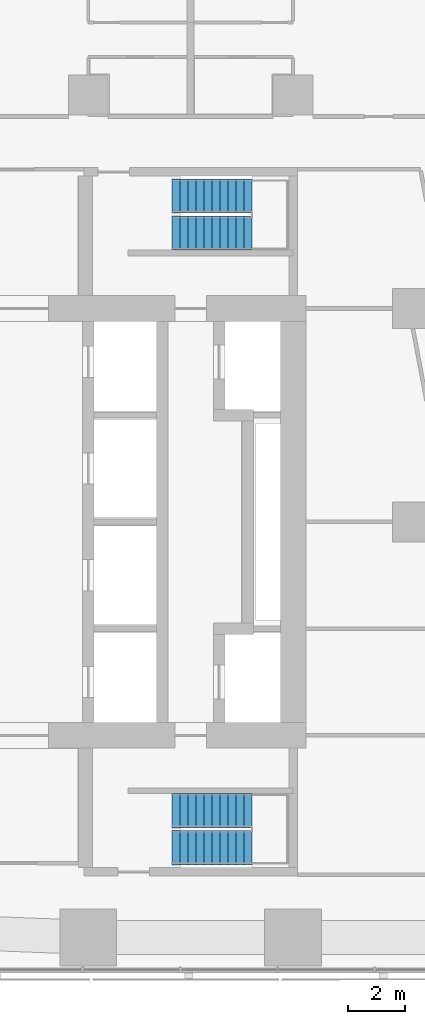
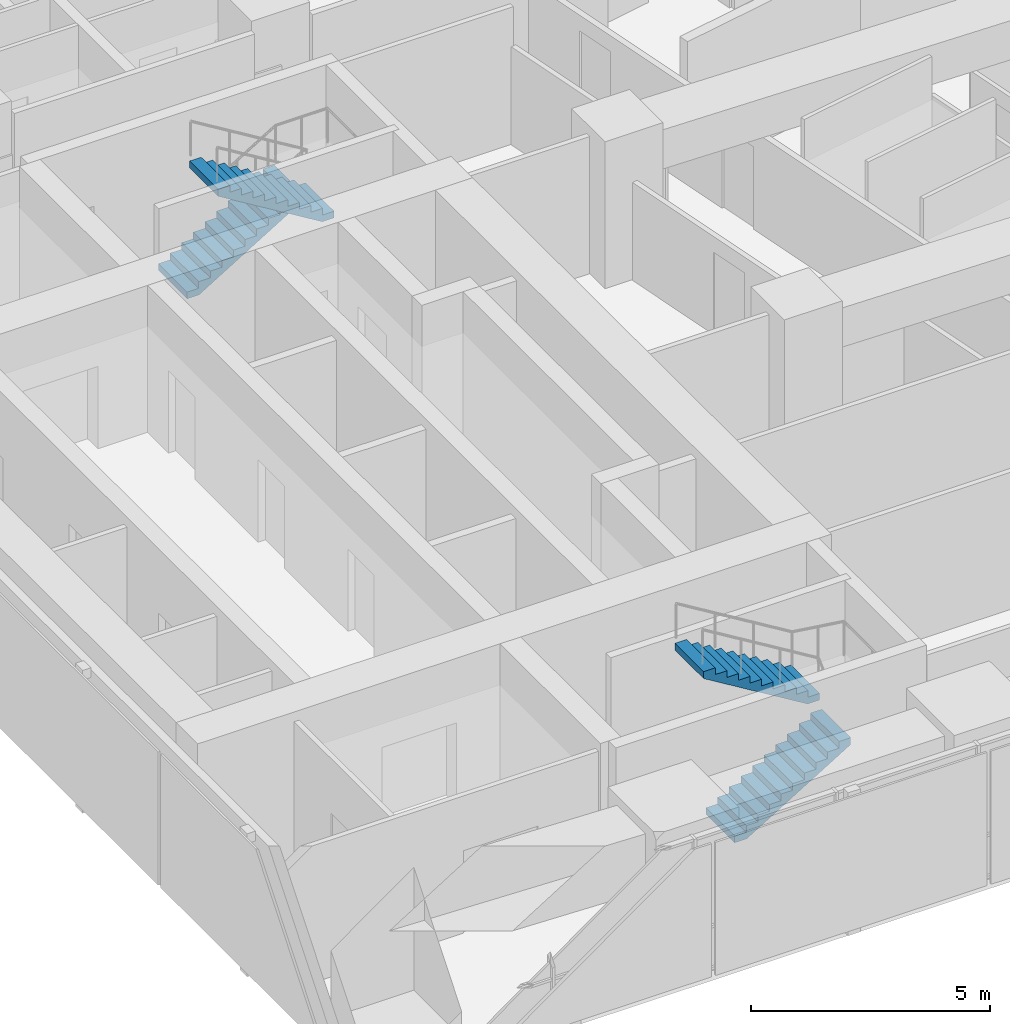
# One storey, part 10 of 11: 4 stair flights, 2 elements without a shape of their own.
"""IFC4 building model written with IfcOpenShell, lengths in metres."""

from ifc_helpers import new_model, si_unit, direction, frame, origin, place, context, subcontext, project, spatial, triangles, material, type_object, element, aggregate, save


model = new_model("IFC4")

# Units and contexts
model_context = context("Model", 3, precision=1e-05, world=origin(), true_north=direction((0.0, 1.0)))
body_context = subcontext(model_context, "Body", "Model", "MODEL_VIEW")
ifc_project = project(units=[si_unit("LENGTHUNIT", "METRE"), si_unit("AREAUNIT", "SQUARE_METRE"), si_unit("VOLUMEUNIT", "CUBIC_METRE"), si_unit("PLANEANGLEUNIT", "RADIAN"), si_unit("MASSUNIT", "GRAM", prefix="KILO")], contexts=[model_context])

# Site, building, storey
site_placement = place(None, origin())
site = spatial("IfcSite", under=ifc_project, at=site_placement, CompositionType="ELEMENT")
building_placement = place(site_placement, origin())
building = spatial("IfcBuilding", under=site, at=building_placement, Name="Sheger Commons Tower", CompositionType="ELEMENT")
storey_placement = place(building_placement, frame((0.0, 0.0, 255.35009765625)))
storey = spatial("IfcBuildingStorey", under=building, at=storey_placement, Name="L65", CompositionType="ELEMENT", Elevation=255.35009765625)

# Stair, stair flights
ifc_material_1 = material(Name="Concrete C35/45", Category="concrete")
stair_type = type_object("IfcStairType", Name="HALF-TURN STAIR 1200 RISE 3750", PredefinedType="HALF_TURN_STAIR", material=ifc_material_1)
stair_1_placement = place(storey_placement, origin())
stair_1 = element("IfcStair", 1, at=stair_1_placement, inside=storey, type_object=stair_type, Name="Stair S1 L65", PredefinedType="HALF_TURN_STAIR")
ifc_material_2 = material(Name="Concrete C35/45", Category="concrete")
stair_flight_type = type_object("IfcStairFlightType", Name="STAIR FLIGHT 1200 11 RISERS OF 170", PredefinedType="STRAIGHT", material=ifc_material_2)
stair_flight_1_placement = place(storey_placement, frame((24.550048828125, 11.050048828125, 0.0), z_axis=(0.0, 0.0, 1.0), x_axis=(1.0, 0.0, 0.0)))
stair_flight_1 = element("IfcStairFlight", 2, at=stair_flight_1_placement, type_object=stair_flight_type, Name="S1 flight 1", NumberOfRisers=11, NumberOfTreads=10, PredefinedType="STRAIGHT", RiserHeight=0.170454545, TreadLength=0.28, context=body_context, shape_type="Tessellation", body=[
    triangles([(0.0, 0.5999755859375, 0.0), (0.0, 0.5999755859375, 0.17041015625), (0.280029296875, 0.5999755859375, 0.17041015625), (0.280029296875, 0.5999755859375, 0.3408203125), (0.56005859375, 0.5999755859375, 0.3408203125), (0.56005859375, 0.5999755859375, 0.511474609375), (0.840087890625, 0.5999755859375, 0.511474609375), (0.840087890625, 0.5999755859375, 0.681884765625), (1.1201171875, 0.5999755859375, 0.681884765625), (1.1201171875, 0.5999755859375, 0.852294921875), (1.39990234375, 0.5999755859375, 0.852294921875), (1.39990234375, 0.5999755859375, 1.022705078125), (1.679931640625, 0.5999755859375, 1.022705078125), (1.679931640625, 0.5999755859375, 1.193115234375), (1.9599609375, 0.5999755859375, 1.193115234375), (1.9599609375, 0.5999755859375, 1.363525390625), (2.239990234375, 0.5999755859375, 1.363525390625), (2.239990234375, 0.5999755859375, 1.5341796875), (2.52001953125, 0.5999755859375, 1.5341796875), (2.52001953125, 0.5999755859375, 1.70458984375), (2.800048828125, 0.5999755859375, 1.70458984375), (2.800048828125, 0.5999755859375, 1.529052734375), (0.288330078125, 0.5999755859375, 0.0), (0.0, -0.5999755859375, 0.0), (0.0, -0.5999755859375, 0.17041015625), (0.280029296875, -0.5999755859375, 0.17041015625), (0.280029296875, -0.5999755859375, 0.3408203125), (0.56005859375, -0.5999755859375, 0.3408203125), (0.56005859375, -0.5999755859375, 0.511474609375), (0.840087890625, -0.5999755859375, 0.511474609375), (0.840087890625, -0.5999755859375, 0.681884765625), (1.1201171875, -0.5999755859375, 0.681884765625), (1.1201171875, -0.5999755859375, 0.852294921875), (1.39990234375, -0.5999755859375, 0.852294921875), (1.39990234375, -0.5999755859375, 1.022705078125), (1.679931640625, -0.5999755859375, 1.022705078125), (1.679931640625, -0.5999755859375, 1.193115234375), (1.9599609375, -0.5999755859375, 1.193115234375), (1.9599609375, -0.5999755859375, 1.363525390625), (2.239990234375, -0.5999755859375, 1.363525390625), (2.239990234375, -0.5999755859375, 1.5341796875), (2.52001953125, -0.5999755859375, 1.5341796875), (2.52001953125, -0.5999755859375, 1.70458984375), (2.800048828125, -0.5999755859375, 1.70458984375), (2.800048828125, -0.5999755859375, 1.529052734375), (0.288330078125, -0.5999755859375, 0.0), (0.0, 0.0, 0.085205078125), (0.1400146484375, 0.0, 0.17041015625), (0.280029296875, 0.0, 0.255615234375), (0.4200439453125, 0.0, 0.3408203125), (0.56005859375, 0.0, 0.4261474609375), (0.7000732421875, 0.0, 0.511474609375), (0.840087890625, 0.0, 0.5966796875), (0.9801025390625, 0.0, 0.681884765625), (1.1201171875, 0.0, 0.76708984375), (1.260009765625, 0.0, 0.852294921875), (1.39990234375, 0.0, 0.9375), (1.5399169921875, 0.0, 1.022705078125), (1.679931640625, 0.0, 1.10791015625), (1.8199462890625, 0.0, 1.193115234375), (1.9599609375, 0.0, 1.2783203125), (2.0999755859375, 0.0, 1.363525390625), (2.239990234375, 0.0, 1.4488525390625), (2.3800048828125, 0.0, 1.5341796875), (2.52001953125, 0.0, 1.619384765625), (2.6600341796875, 0.0, 1.70458984375), (2.800048828125, 0.0, 1.6168212890625), (1.544189453125, 0.0, 0.7645263671875), (0.1441650390625, 0.0, 0.0)], [[1, 22, 23], [24, 46, 45], [22, 20, 21], [45, 44, 43], [22, 19, 20], [45, 43, 42], [22, 18, 19], [45, 42, 41], [22, 17, 18], [45, 41, 40], [17, 15, 16], [40, 39, 38], [22, 15, 17], [45, 40, 38], [15, 13, 14], [38, 37, 36], [22, 13, 15], [45, 38, 36], [13, 11, 12], [36, 35, 34], [22, 11, 13], [45, 36, 34], [11, 9, 10], [34, 33, 32], [22, 9, 11], [45, 34, 32], [9, 7, 8], [32, 31, 30], [22, 7, 9], [45, 32, 30], [7, 5, 6], [30, 29, 28], [22, 5, 7], [45, 30, 28], [5, 3, 4], [28, 27, 26], [22, 3, 5], [45, 28, 26], [1, 3, 22], [24, 45, 26], [3, 1, 2], [26, 25, 24], [1, 47, 2], [2, 47, 25], [25, 47, 24], [24, 47, 1], [2, 48, 3], [3, 48, 26], [26, 48, 25], [25, 48, 2], [3, 49, 4], [4, 49, 27], [27, 49, 26], [26, 49, 3], [4, 50, 5], [5, 50, 28], [28, 50, 27], [27, 50, 4], [5, 51, 6], [6, 51, 29], [29, 51, 28], [28, 51, 5], [6, 52, 7], [7, 52, 30], [30, 52, 29], [29, 52, 6], [7, 53, 8], [8, 53, 31], [31, 53, 30], [30, 53, 7], [8, 54, 9], [9, 54, 32], [32, 54, 31], [31, 54, 8], [9, 55, 10], [10, 55, 33], [33, 55, 32], [32, 55, 9], [10, 56, 11], [11, 56, 34], [34, 56, 33], [33, 56, 10], [11, 57, 12], [12, 57, 35], [35, 57, 34], [34, 57, 11], [12, 58, 13], [13, 58, 36], [36, 58, 35], [35, 58, 12], [13, 59, 14], [14, 59, 37], [37, 59, 36], [36, 59, 13], [14, 60, 15], [15, 60, 38], [38, 60, 37], [37, 60, 14], [15, 61, 16], [16, 61, 39], [39, 61, 38], [38, 61, 15], [16, 62, 17], [17, 62, 40], [40, 62, 39], [39, 62, 16], [17, 63, 18], [18, 63, 41], [41, 63, 40], [40, 63, 17], [18, 64, 19], [19, 64, 42], [42, 64, 41], [41, 64, 18], [19, 65, 20], [20, 65, 43], [43, 65, 42], [42, 65, 19], [20, 66, 21], [21, 66, 44], [44, 66, 43], [43, 66, 20], [21, 67, 22], [22, 67, 45], [45, 67, 44], [44, 67, 21], [22, 68, 23], [23, 68, 46], [46, 68, 45], [45, 68, 22], [23, 69, 1], [1, 69, 24], [24, 69, 46], [46, 69, 23]], closed=True),
])
stair_flight_2_placement = place(storey_placement, frame((27.35009765625, 12.35009765625, 1.875), z_axis=(0.0, 0.0, 1.0), x_axis=(-1.0, 0.0, 0.0)))
stair_flight_2 = element("IfcStairFlight", 3, at=stair_flight_2_placement, type_object=stair_flight_type, Name="S1 flight 2", NumberOfRisers=11, NumberOfTreads=10, PredefinedType="STRAIGHT", RiserHeight=0.170454545, TreadLength=0.28, context=body_context, shape_type="Tessellation", body=[
    triangles([(0.0, 0.5999755859375, 0.0), (0.0, 0.5999755859375, 0.17041015625), (0.280029296875, 0.5999755859375, 0.17041015625), (0.280029296875, 0.5999755859375, 0.3408203125), (0.56005859375, 0.5999755859375, 0.3408203125), (0.56005859375, 0.5999755859375, 0.511474609375), (0.840087890625, 0.5999755859375, 0.511474609375), (0.840087890625, 0.5999755859375, 0.681884765625), (1.1201171875, 0.5999755859375, 0.681884765625), (1.1201171875, 0.5999755859375, 0.852294921875), (1.39990234375, 0.5999755859375, 0.852294921875), (1.39990234375, 0.5999755859375, 1.022705078125), (1.679931640625, 0.5999755859375, 1.022705078125), (1.679931640625, 0.5999755859375, 1.193115234375), (1.9599609375, 0.5999755859375, 1.193115234375), (1.9599609375, 0.5999755859375, 1.363525390625), (2.239990234375, 0.5999755859375, 1.363525390625), (2.239990234375, 0.5999755859375, 1.5341796875), (2.52001953125, 0.5999755859375, 1.5341796875), (2.52001953125, 0.5999755859375, 1.70458984375), (2.800048828125, 0.5999755859375, 1.70458984375), (2.800048828125, 0.5999755859375, 1.529052734375), (0.288330078125, 0.5999755859375, 0.0), (0.0, -0.5999755859375, 0.0), (0.0, -0.5999755859375, 0.17041015625), (0.280029296875, -0.5999755859375, 0.17041015625), (0.280029296875, -0.5999755859375, 0.3408203125), (0.56005859375, -0.5999755859375, 0.3408203125), (0.56005859375, -0.5999755859375, 0.511474609375), (0.840087890625, -0.5999755859375, 0.511474609375), (0.840087890625, -0.5999755859375, 0.681884765625), (1.1201171875, -0.5999755859375, 0.681884765625), (1.1201171875, -0.5999755859375, 0.852294921875), (1.39990234375, -0.5999755859375, 0.852294921875), (1.39990234375, -0.5999755859375, 1.022705078125), (1.679931640625, -0.5999755859375, 1.022705078125), (1.679931640625, -0.5999755859375, 1.193115234375), (1.9599609375, -0.5999755859375, 1.193115234375), (1.9599609375, -0.5999755859375, 1.363525390625), (2.239990234375, -0.5999755859375, 1.363525390625), (2.239990234375, -0.5999755859375, 1.5341796875), (2.52001953125, -0.5999755859375, 1.5341796875), (2.52001953125, -0.5999755859375, 1.70458984375), (2.800048828125, -0.5999755859375, 1.70458984375), (2.800048828125, -0.5999755859375, 1.529052734375), (0.288330078125, -0.5999755859375, 0.0), (0.0, 0.0, 0.085205078125), (0.1400146484375, 0.0, 0.17041015625), (0.280029296875, 0.0, 0.255615234375), (0.4200439453125, 0.0, 0.3408203125), (0.56005859375, 0.0, 0.4261474609375), (0.7000732421875, 0.0, 0.511474609375), (0.840087890625, 0.0, 0.5966796875), (0.9801025390625, 0.0, 0.681884765625), (1.1201171875, 0.0, 0.76708984375), (1.260009765625, 0.0, 0.852294921875), (1.39990234375, 0.0, 0.9375), (1.5399169921875, 0.0, 1.022705078125), (1.679931640625, 0.0, 1.10791015625), (1.8199462890625, 0.0, 1.193115234375), (1.9599609375, 0.0, 1.2783203125), (2.0999755859375, 0.0, 1.363525390625), (2.239990234375, 0.0, 1.4488525390625), (2.3800048828125, 0.0, 1.5341796875), (2.52001953125, 0.0, 1.619384765625), (2.6600341796875, 0.0, 1.70458984375), (2.800048828125, 0.0, 1.6168212890625), (1.544189453125, 0.0, 0.7645263671875), (0.1441650390625, 0.0, 0.0)], [[1, 22, 23], [24, 46, 45], [22, 20, 21], [45, 44, 43], [22, 19, 20], [45, 43, 42], [22, 18, 19], [45, 42, 41], [22, 17, 18], [45, 41, 40], [17, 15, 16], [40, 39, 38], [22, 15, 17], [45, 40, 38], [15, 13, 14], [38, 37, 36], [22, 13, 15], [45, 38, 36], [13, 11, 12], [36, 35, 34], [22, 11, 13], [45, 36, 34], [11, 9, 10], [34, 33, 32], [22, 9, 11], [45, 34, 32], [9, 7, 8], [32, 31, 30], [22, 7, 9], [45, 32, 30], [7, 5, 6], [30, 29, 28], [22, 5, 7], [45, 30, 28], [5, 3, 4], [28, 27, 26], [22, 3, 5], [45, 28, 26], [1, 3, 22], [24, 45, 26], [3, 1, 2], [26, 25, 24], [1, 47, 2], [2, 47, 25], [25, 47, 24], [24, 47, 1], [2, 48, 3], [3, 48, 26], [26, 48, 25], [25, 48, 2], [3, 49, 4], [4, 49, 27], [27, 49, 26], [26, 49, 3], [4, 50, 5], [5, 50, 28], [28, 50, 27], [27, 50, 4], [5, 51, 6], [6, 51, 29], [29, 51, 28], [28, 51, 5], [6, 52, 7], [7, 52, 30], [30, 52, 29], [29, 52, 6], [7, 53, 8], [8, 53, 31], [31, 53, 30], [30, 53, 7], [8, 54, 9], [9, 54, 32], [32, 54, 31], [31, 54, 8], [9, 55, 10], [10, 55, 33], [33, 55, 32], [32, 55, 9], [10, 56, 11], [11, 56, 34], [34, 56, 33], [33, 56, 10], [11, 57, 12], [12, 57, 35], [35, 57, 34], [34, 57, 11], [12, 58, 13], [13, 58, 36], [36, 58, 35], [35, 58, 12], [13, 59, 14], [14, 59, 37], [37, 59, 36], [36, 59, 13], [14, 60, 15], [15, 60, 38], [38, 60, 37], [37, 60, 14], [15, 61, 16], [16, 61, 39], [39, 61, 38], [38, 61, 15], [16, 62, 17], [17, 62, 40], [40, 62, 39], [39, 62, 16], [17, 63, 18], [18, 63, 41], [41, 63, 40], [40, 63, 17], [18, 64, 19], [19, 64, 42], [42, 64, 41], [41, 64, 18], [19, 65, 20], [20, 65, 43], [43, 65, 42], [42, 65, 19], [20, 66, 21], [21, 66, 44], [44, 66, 43], [43, 66, 20], [21, 67, 22], [22, 67, 45], [45, 67, 44], [44, 67, 21], [22, 68, 23], [23, 68, 46], [46, 68, 45], [45, 68, 22], [23, 69, 1], [1, 69, 24], [24, 69, 46], [46, 69, 23]], closed=True),
])
aggregate(stair_1, [stair_flight_1, stair_flight_2])

stair_2_placement = place(storey_placement, origin())
stair_2 = element("IfcStair", 4, at=stair_2_placement, inside=storey, type_object=stair_type, Name="Stair S2 L65", PredefinedType="HALF_TURN_STAIR")
stair_flight_3_placement = place(storey_placement, frame((24.550048828125, 33.949951171875, 0.0), z_axis=(0.0, 0.0, 1.0), x_axis=(1.0, 0.0, 0.0)))
stair_flight_3 = element("IfcStairFlight", 5, at=stair_flight_3_placement, type_object=stair_flight_type, Name="S2 flight 1", NumberOfRisers=11, NumberOfTreads=10, PredefinedType="STRAIGHT", RiserHeight=0.170454545, TreadLength=0.28, context=body_context, shape_type="Tessellation", body=[
    triangles([(0.0, 0.5999755859375, 0.0), (0.0, 0.5999755859375, 0.17041015625), (0.280029296875, 0.5999755859375, 0.17041015625), (0.280029296875, 0.5999755859375, 0.3408203125), (0.56005859375, 0.5999755859375, 0.3408203125), (0.56005859375, 0.5999755859375, 0.511474609375), (0.840087890625, 0.5999755859375, 0.511474609375), (0.840087890625, 0.5999755859375, 0.681884765625), (1.1201171875, 0.5999755859375, 0.681884765625), (1.1201171875, 0.5999755859375, 0.852294921875), (1.39990234375, 0.5999755859375, 0.852294921875), (1.39990234375, 0.5999755859375, 1.022705078125), (1.679931640625, 0.5999755859375, 1.022705078125), (1.679931640625, 0.5999755859375, 1.193115234375), (1.9599609375, 0.5999755859375, 1.193115234375), (1.9599609375, 0.5999755859375, 1.363525390625), (2.239990234375, 0.5999755859375, 1.363525390625), (2.239990234375, 0.5999755859375, 1.5341796875), (2.52001953125, 0.5999755859375, 1.5341796875), (2.52001953125, 0.5999755859375, 1.70458984375), (2.800048828125, 0.5999755859375, 1.70458984375), (2.800048828125, 0.5999755859375, 1.529052734375), (0.288330078125, 0.5999755859375, 0.0), (0.0, -0.5999755859375, 0.0), (0.0, -0.5999755859375, 0.17041015625), (0.280029296875, -0.5999755859375, 0.17041015625), (0.280029296875, -0.5999755859375, 0.3408203125), (0.56005859375, -0.5999755859375, 0.3408203125), (0.56005859375, -0.5999755859375, 0.511474609375), (0.840087890625, -0.5999755859375, 0.511474609375), (0.840087890625, -0.5999755859375, 0.681884765625), (1.1201171875, -0.5999755859375, 0.681884765625), (1.1201171875, -0.5999755859375, 0.852294921875), (1.39990234375, -0.5999755859375, 0.852294921875), (1.39990234375, -0.5999755859375, 1.022705078125), (1.679931640625, -0.5999755859375, 1.022705078125), (1.679931640625, -0.5999755859375, 1.193115234375), (1.9599609375, -0.5999755859375, 1.193115234375), (1.9599609375, -0.5999755859375, 1.363525390625), (2.239990234375, -0.5999755859375, 1.363525390625), (2.239990234375, -0.5999755859375, 1.5341796875), (2.52001953125, -0.5999755859375, 1.5341796875), (2.52001953125, -0.5999755859375, 1.70458984375), (2.800048828125, -0.5999755859375, 1.70458984375), (2.800048828125, -0.5999755859375, 1.529052734375), (0.288330078125, -0.5999755859375, 0.0), (0.0, 0.0, 0.085205078125), (0.1400146484375, 0.0, 0.17041015625), (0.280029296875, 0.0, 0.255615234375), (0.4200439453125, 0.0, 0.3408203125), (0.56005859375, 0.0, 0.4261474609375), (0.7000732421875, 0.0, 0.511474609375), (0.840087890625, 0.0, 0.5966796875), (0.9801025390625, 0.0, 0.681884765625), (1.1201171875, 0.0, 0.76708984375), (1.260009765625, 0.0, 0.852294921875), (1.39990234375, 0.0, 0.9375), (1.5399169921875, 0.0, 1.022705078125), (1.679931640625, 0.0, 1.10791015625), (1.8199462890625, 0.0, 1.193115234375), (1.9599609375, 0.0, 1.2783203125), (2.0999755859375, 0.0, 1.363525390625), (2.239990234375, 0.0, 1.4488525390625), (2.3800048828125, 0.0, 1.5341796875), (2.52001953125, 0.0, 1.619384765625), (2.6600341796875, 0.0, 1.70458984375), (2.800048828125, 0.0, 1.6168212890625), (1.544189453125, 0.0, 0.7645263671875), (0.1441650390625, 0.0, 0.0)], [[1, 22, 23], [24, 46, 45], [22, 20, 21], [45, 44, 43], [22, 19, 20], [45, 43, 42], [22, 18, 19], [45, 42, 41], [22, 17, 18], [45, 41, 40], [17, 15, 16], [40, 39, 38], [22, 15, 17], [45, 40, 38], [15, 13, 14], [38, 37, 36], [22, 13, 15], [45, 38, 36], [13, 11, 12], [36, 35, 34], [22, 11, 13], [45, 36, 34], [11, 9, 10], [34, 33, 32], [22, 9, 11], [45, 34, 32], [9, 7, 8], [32, 31, 30], [22, 7, 9], [45, 32, 30], [7, 5, 6], [30, 29, 28], [22, 5, 7], [45, 30, 28], [5, 3, 4], [28, 27, 26], [22, 3, 5], [45, 28, 26], [1, 3, 22], [24, 45, 26], [3, 1, 2], [26, 25, 24], [1, 47, 2], [2, 47, 25], [25, 47, 24], [24, 47, 1], [2, 48, 3], [3, 48, 26], [26, 48, 25], [25, 48, 2], [3, 49, 4], [4, 49, 27], [27, 49, 26], [26, 49, 3], [4, 50, 5], [5, 50, 28], [28, 50, 27], [27, 50, 4], [5, 51, 6], [6, 51, 29], [29, 51, 28], [28, 51, 5], [6, 52, 7], [7, 52, 30], [30, 52, 29], [29, 52, 6], [7, 53, 8], [8, 53, 31], [31, 53, 30], [30, 53, 7], [8, 54, 9], [9, 54, 32], [32, 54, 31], [31, 54, 8], [9, 55, 10], [10, 55, 33], [33, 55, 32], [32, 55, 9], [10, 56, 11], [11, 56, 34], [34, 56, 33], [33, 56, 10], [11, 57, 12], [12, 57, 35], [35, 57, 34], [34, 57, 11], [12, 58, 13], [13, 58, 36], [36, 58, 35], [35, 58, 12], [13, 59, 14], [14, 59, 37], [37, 59, 36], [36, 59, 13], [14, 60, 15], [15, 60, 38], [38, 60, 37], [37, 60, 14], [15, 61, 16], [16, 61, 39], [39, 61, 38], [38, 61, 15], [16, 62, 17], [17, 62, 40], [40, 62, 39], [39, 62, 16], [17, 63, 18], [18, 63, 41], [41, 63, 40], [40, 63, 17], [18, 64, 19], [19, 64, 42], [42, 64, 41], [41, 64, 18], [19, 65, 20], [20, 65, 43], [43, 65, 42], [42, 65, 19], [20, 66, 21], [21, 66, 44], [44, 66, 43], [43, 66, 20], [21, 67, 22], [22, 67, 45], [45, 67, 44], [44, 67, 21], [22, 68, 23], [23, 68, 46], [46, 68, 45], [45, 68, 22], [23, 69, 1], [1, 69, 24], [24, 69, 46], [46, 69, 23]], closed=True),
])
stair_flight_4_placement = place(storey_placement, frame((27.35009765625, 32.64990234375, 1.875), z_axis=(0.0, 0.0, 1.0), x_axis=(-1.0, 0.0, 0.0)))
stair_flight_4 = element("IfcStairFlight", 6, at=stair_flight_4_placement, type_object=stair_flight_type, Name="S2 flight 2", NumberOfRisers=11, NumberOfTreads=10, PredefinedType="STRAIGHT", RiserHeight=0.170454545, TreadLength=0.28, context=body_context, shape_type="Tessellation", body=[
    triangles([(0.0, 0.5999755859375, 0.0), (0.0, 0.5999755859375, 0.17041015625), (0.280029296875, 0.5999755859375, 0.17041015625), (0.280029296875, 0.5999755859375, 0.3408203125), (0.56005859375, 0.5999755859375, 0.3408203125), (0.56005859375, 0.5999755859375, 0.511474609375), (0.840087890625, 0.5999755859375, 0.511474609375), (0.840087890625, 0.5999755859375, 0.681884765625), (1.1201171875, 0.5999755859375, 0.681884765625), (1.1201171875, 0.5999755859375, 0.852294921875), (1.39990234375, 0.5999755859375, 0.852294921875), (1.39990234375, 0.5999755859375, 1.022705078125), (1.679931640625, 0.5999755859375, 1.022705078125), (1.679931640625, 0.5999755859375, 1.193115234375), (1.9599609375, 0.5999755859375, 1.193115234375), (1.9599609375, 0.5999755859375, 1.363525390625), (2.239990234375, 0.5999755859375, 1.363525390625), (2.239990234375, 0.5999755859375, 1.5341796875), (2.52001953125, 0.5999755859375, 1.5341796875), (2.52001953125, 0.5999755859375, 1.70458984375), (2.800048828125, 0.5999755859375, 1.70458984375), (2.800048828125, 0.5999755859375, 1.529052734375), (0.288330078125, 0.5999755859375, 0.0), (0.0, -0.5999755859375, 0.0), (0.0, -0.5999755859375, 0.17041015625), (0.280029296875, -0.5999755859375, 0.17041015625), (0.280029296875, -0.5999755859375, 0.3408203125), (0.56005859375, -0.5999755859375, 0.3408203125), (0.56005859375, -0.5999755859375, 0.511474609375), (0.840087890625, -0.5999755859375, 0.511474609375), (0.840087890625, -0.5999755859375, 0.681884765625), (1.1201171875, -0.5999755859375, 0.681884765625), (1.1201171875, -0.5999755859375, 0.852294921875), (1.39990234375, -0.5999755859375, 0.852294921875), (1.39990234375, -0.5999755859375, 1.022705078125), (1.679931640625, -0.5999755859375, 1.022705078125), (1.679931640625, -0.5999755859375, 1.193115234375), (1.9599609375, -0.5999755859375, 1.193115234375), (1.9599609375, -0.5999755859375, 1.363525390625), (2.239990234375, -0.5999755859375, 1.363525390625), (2.239990234375, -0.5999755859375, 1.5341796875), (2.52001953125, -0.5999755859375, 1.5341796875), (2.52001953125, -0.5999755859375, 1.70458984375), (2.800048828125, -0.5999755859375, 1.70458984375), (2.800048828125, -0.5999755859375, 1.529052734375), (0.288330078125, -0.5999755859375, 0.0), (0.0, 0.0, 0.085205078125), (0.1400146484375, 0.0, 0.17041015625), (0.280029296875, 0.0, 0.255615234375), (0.4200439453125, 0.0, 0.3408203125), (0.56005859375, 0.0, 0.4261474609375), (0.7000732421875, 0.0, 0.511474609375), (0.840087890625, 0.0, 0.5966796875), (0.9801025390625, 0.0, 0.681884765625), (1.1201171875, 0.0, 0.76708984375), (1.260009765625, 0.0, 0.852294921875), (1.39990234375, 0.0, 0.9375), (1.5399169921875, 0.0, 1.022705078125), (1.679931640625, 0.0, 1.10791015625), (1.8199462890625, 0.0, 1.193115234375), (1.9599609375, 0.0, 1.2783203125), (2.0999755859375, 0.0, 1.363525390625), (2.239990234375, 0.0, 1.4488525390625), (2.3800048828125, 0.0, 1.5341796875), (2.52001953125, 0.0, 1.619384765625), (2.6600341796875, 0.0, 1.70458984375), (2.800048828125, 0.0, 1.6168212890625), (1.544189453125, 0.0, 0.7645263671875), (0.1441650390625, 0.0, 0.0)], [[1, 22, 23], [24, 46, 45], [22, 20, 21], [45, 44, 43], [22, 19, 20], [45, 43, 42], [22, 18, 19], [45, 42, 41], [22, 17, 18], [45, 41, 40], [17, 15, 16], [40, 39, 38], [22, 15, 17], [45, 40, 38], [15, 13, 14], [38, 37, 36], [22, 13, 15], [45, 38, 36], [13, 11, 12], [36, 35, 34], [22, 11, 13], [45, 36, 34], [11, 9, 10], [34, 33, 32], [22, 9, 11], [45, 34, 32], [9, 7, 8], [32, 31, 30], [22, 7, 9], [45, 32, 30], [7, 5, 6], [30, 29, 28], [22, 5, 7], [45, 30, 28], [5, 3, 4], [28, 27, 26], [22, 3, 5], [45, 28, 26], [1, 3, 22], [24, 45, 26], [3, 1, 2], [26, 25, 24], [1, 47, 2], [2, 47, 25], [25, 47, 24], [24, 47, 1], [2, 48, 3], [3, 48, 26], [26, 48, 25], [25, 48, 2], [3, 49, 4], [4, 49, 27], [27, 49, 26], [26, 49, 3], [4, 50, 5], [5, 50, 28], [28, 50, 27], [27, 50, 4], [5, 51, 6], [6, 51, 29], [29, 51, 28], [28, 51, 5], [6, 52, 7], [7, 52, 30], [30, 52, 29], [29, 52, 6], [7, 53, 8], [8, 53, 31], [31, 53, 30], [30, 53, 7], [8, 54, 9], [9, 54, 32], [32, 54, 31], [31, 54, 8], [9, 55, 10], [10, 55, 33], [33, 55, 32], [32, 55, 9], [10, 56, 11], [11, 56, 34], [34, 56, 33], [33, 56, 10], [11, 57, 12], [12, 57, 35], [35, 57, 34], [34, 57, 11], [12, 58, 13], [13, 58, 36], [36, 58, 35], [35, 58, 12], [13, 59, 14], [14, 59, 37], [37, 59, 36], [36, 59, 13], [14, 60, 15], [15, 60, 38], [38, 60, 37], [37, 60, 14], [15, 61, 16], [16, 61, 39], [39, 61, 38], [38, 61, 15], [16, 62, 17], [17, 62, 40], [40, 62, 39], [39, 62, 16], [17, 63, 18], [18, 63, 41], [41, 63, 40], [40, 63, 17], [18, 64, 19], [19, 64, 42], [42, 64, 41], [41, 64, 18], [19, 65, 20], [20, 65, 43], [43, 65, 42], [42, 65, 19], [20, 66, 21], [21, 66, 44], [44, 66, 43], [43, 66, 20], [21, 67, 22], [22, 67, 45], [45, 67, 44], [44, 67, 21], [22, 68, 23], [23, 68, 46], [46, 68, 45], [45, 68, 22], [23, 69, 1], [1, 69, 24], [24, 69, 46], [46, 69, 23]], closed=True),
])
aggregate(stair_2, [stair_flight_3, stair_flight_4])

save(model, "model.ifc")
